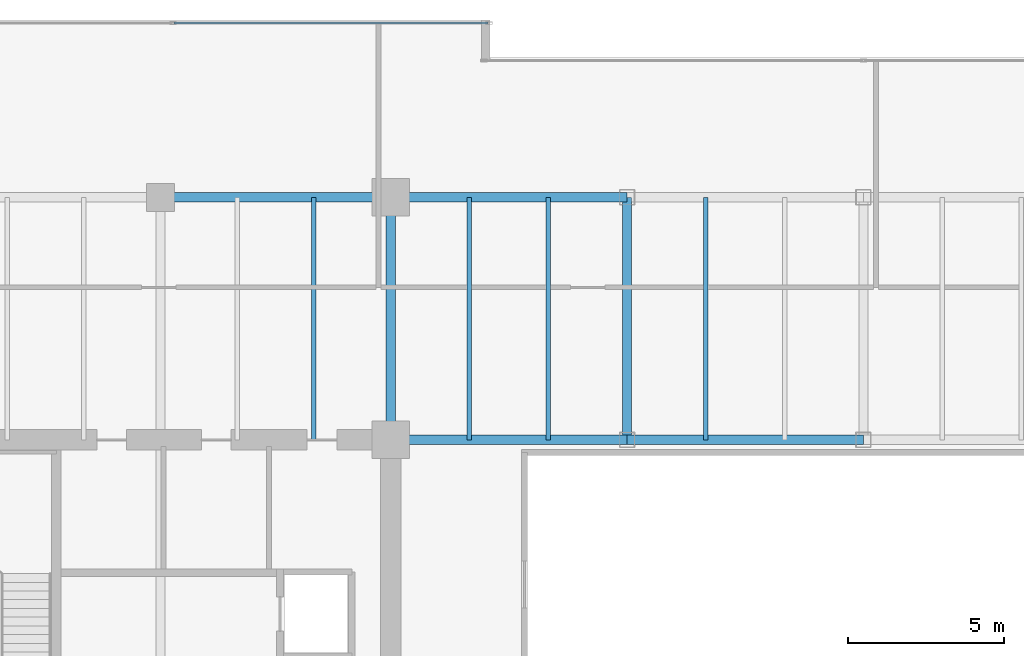
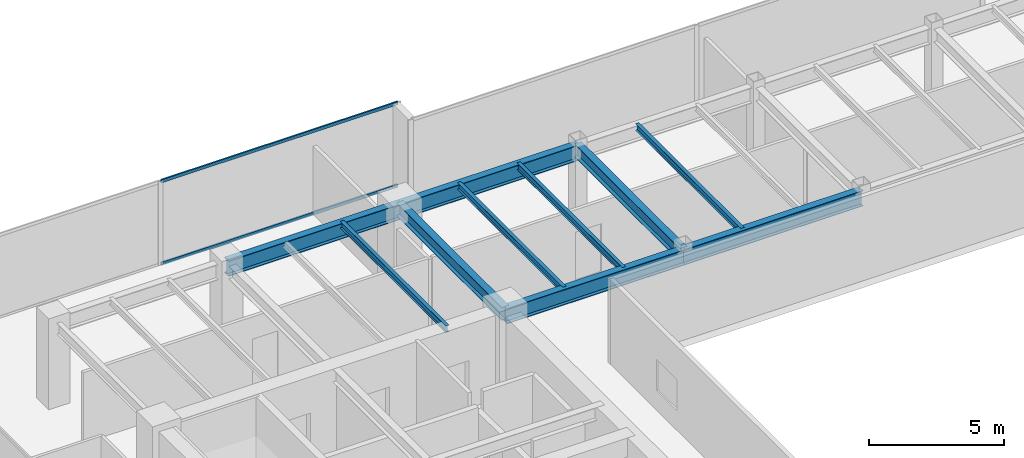
# One storey, part 15 of 30: 10 beams, 2 members, 1 element without a shape of its own.
"""IFC4 building model written with IfcOpenShell, lengths in metres."""

import ifcopenshell
import ifcopenshell.guid

model = None  # the IFC model being written
_history = None  # IfcOwnerHistory: only IFC2X3 demands one
_inside = {}  # id of a spatial element -> (the spatial element, [elements in it])
_under = {}  # id of a project, library or spatial element -> (it, [spatial elements below it])
_declared = {}  # id of a project -> (the project, [libraries it declares])
_typed = {}  # id of a type object -> (the type object, [elements of that type])
_made_of = {}  # id of a material, layer set ... -> (it, [elements and type objects made of it])


def new_model(schema):
    """Start an empty IFC model of exactly this schema.

    Asked for "IFC4X3", IfcOpenShell would pick the latest addendum, in which some entities
    have other attributes; the version numbers below select the first issue.
    IFC2X3 requires an IfcOwnerHistory on every rooted entity: one is made here for all.
    """
    global model, _history
    if schema == "IFC4X3":
        model = ifcopenshell.file(schema_version=(4, 3, 0, 0))
    else:
        model = ifcopenshell.file(schema=schema)
    _inside.clear()
    _under.clear()
    _declared.clear()
    _typed.clear()
    _made_of.clear()
    _history = None
    if model.schema == "IFC2X3":
        org = make("IfcOrganization", Name="unknown")
        user = make(
            "IfcPersonAndOrganization",
            ThePerson=make("IfcPerson", FamilyName="unknown"),
            TheOrganization=org,
        )
        app = make(
            "IfcApplication",
            ApplicationDeveloper=org,
            Version="unknown",
            ApplicationFullName="unknown",
            ApplicationIdentifier="unknown",
        )
        _history = make(
            "IfcOwnerHistory",
            OwningUser=user,
            OwningApplication=app,
            ChangeAction="ADDED",
            CreationDate=0,
        )
    return model


def make(cls, **values):
    """One entity of the class cls with the attributes given. An attribute that is None is left unset."""
    return model.create_entity(
        cls, **{name: value for name, value in values.items() if value is not None}
    )


def rooted(cls, **values):
    """An entity with a GlobalId (a new one), such as an element, a storey or a relation."""
    return make(cls, GlobalId=ifcopenshell.guid.new(), OwnerHistory=_history, **values)


def si_unit(unit_type, name, prefix=None):
    """IfcSIUnit, for example si_unit("LENGTHUNIT", "METRE", prefix="MILLI")."""
    return make("IfcSIUnit", UnitType=unit_type, Prefix=prefix, Name=name)


def assignment(units):
    """IfcUnitAssignment: the units of a project."""
    return None if units is None else make("IfcUnitAssignment", Units=units)


def point(xyz):
    """IfcCartesianPoint."""
    return None if xyz is None else make("IfcCartesianPoint", Coordinates=xyz)


def direction(xyz):
    """IfcDirection."""
    return None if xyz is None else make("IfcDirection", DirectionRatios=xyz)


def frame(location, z_axis=None, x_axis=None):
    """IfcAxis2Placement3D, a coordinate frame: its origin and axes. An axis left out is left unset."""
    return make(
        "IfcAxis2Placement3D",
        Location=point(location),
        Axis=direction(z_axis),
        RefDirection=direction(x_axis),
    )


def frame_2d(location, x_axis=None):
    """IfcAxis2Placement2D, a coordinate frame in the plane: its origin and x axis."""
    return make(
        "IfcAxis2Placement2D", Location=point(location), RefDirection=direction(x_axis)
    )


def origin():
    """The frame at (0, 0, 0) with its axes left unset."""
    return frame((0.0, 0.0, 0.0))


def origin_2d():
    """The frame at (0, 0) in the plane with its x axis left unset."""
    return frame_2d((0.0, 0.0))


def place(relative_to, where):
    """IfcLocalPlacement: puts the frame where relative to a parent placement (None: the world)."""
    return make(
        "IfcLocalPlacement", PlacementRelTo=relative_to, RelativePlacement=where
    )


def context(
    kind, dimensions, precision=None, world=None, true_north=None, identifier=None
):
    """IfcGeometricRepresentationContext, for example the 3D "Model" context."""
    return make(
        "IfcGeometricRepresentationContext",
        ContextIdentifier=identifier,
        ContextType=kind,
        CoordinateSpaceDimension=dimensions,
        Precision=precision,
        WorldCoordinateSystem=world,
        TrueNorth=true_north,
    )


def subcontext(parent, identifier, kind, view, scale=None):
    """IfcGeometricRepresentationSubContext, for example "Body" below "Model"."""
    return make(
        "IfcGeometricRepresentationSubContext",
        ContextIdentifier=identifier,
        ContextType=kind,
        ParentContext=parent,
        TargetScale=scale,
        TargetView=view,
    )


def project(units=None, contexts=None):
    """IfcProject with its units and contexts."""
    return rooted(
        "IfcProject",
        Name="project",
        RepresentationContexts=contexts,
        UnitsInContext=assignment(units),
    )


def spatial(cls, under=None, at=None, **own):
    """A site, building, storey or space (cls), placed at a placement, below another one or the project."""
    s = rooted(cls, ObjectPlacement=at, **own)
    if under is not None:
        _under.setdefault(under.id(), (under, []))[1].append(s)
    return s


def profile(cls, at=None, kind="AREA", **sizes):
    """A parametric profile (cls). Its sizes go by their IFC names, for example OverallWidth=200.0."""
    return make(cls, ProfileType=kind, Position=at, **sizes)


def hollow_rectangle(**sizes):
    """IfcRectangleHollowProfileDef."""
    return profile("IfcRectangleHollowProfileDef", **sizes)


def i_section(**sizes):
    """IfcIShapeProfileDef."""
    return profile("IfcIShapeProfileDef", **sizes)


def extrude(swept, where, along, depth):
    """IfcExtrudedAreaSolid: the profile swept, set in the frame where, extruded along a direction by depth."""
    return make(
        "IfcExtrudedAreaSolid",
        SweptArea=swept,
        Position=where,
        ExtrudedDirection=direction(along),
        Depth=depth,
    )


def shape(context_of_items, identifier, shape_type, items):
    """IfcShapeRepresentation: the items that make up one representation, for example the "Body"."""
    return make(
        "IfcShapeRepresentation",
        ContextOfItems=context_of_items,
        RepresentationIdentifier=identifier,
        RepresentationType=shape_type,
        Items=items,
    )


def source(mapping_origin, context_of_items, identifier, shape_type, items):
    """IfcRepresentationMap: a shape defined once, which mapped items show again and again."""
    return make(
        "IfcRepresentationMap",
        MappingOrigin=mapping_origin,
        MappedRepresentation=shape(context_of_items, identifier, shape_type, items),
    )


def transform(
    local_origin,
    x_axis=None,
    y_axis=None,
    z_axis=None,
    scale=None,
    scale2=None,
    scale3=None,
    uniform=True,
):
    """IfcCartesianTransformationOperator3D, or its non-uniform kind. x_axis, y_axis, z_axis: its Axis1, 2, 3."""
    if uniform:
        return make(
            "IfcCartesianTransformationOperator3D",
            Axis1=direction(x_axis),
            Axis2=direction(y_axis),
            LocalOrigin=point(local_origin),
            Scale=scale,
            Axis3=direction(z_axis),
        )
    return make(
        "IfcCartesianTransformationOperator3DnonUniform",
        Axis1=direction(x_axis),
        Axis2=direction(y_axis),
        LocalOrigin=point(local_origin),
        Scale=scale,
        Axis3=direction(z_axis),
        Scale2=scale2,
        Scale3=scale3,
    )


def mapped(mapping_source, mapping_target):
    """IfcMappedItem: shows the shape of a source again, moved by a transform."""
    return make(
        "IfcMappedItem", MappingSource=mapping_source, MappingTarget=mapping_target
    )


def material(Name=None, Category=None):
    """IfcMaterial."""
    return make("IfcMaterial", Name=Name, Category=Category)


def layer(
    of_material, thickness, ventilated=None, Name=None, Category=None, Priority=None
):
    """IfcMaterialLayer: one layer of a wall or slab, of a material (None: an air gap)."""
    return make(
        "IfcMaterialLayer",
        Material=of_material,
        LayerThickness=thickness,
        IsVentilated=ventilated,
        Name=Name,
        Category=Category,
        Priority=Priority,
    )


def layer_set(layers, Name=None):
    """IfcMaterialLayerSet."""
    return make("IfcMaterialLayerSet", MaterialLayers=layers, LayerSetName=Name)


def material_profile(
    of_material, cross_section, Name=None, Category=None, Priority=None
):
    """IfcMaterialProfile: a cross section and its material."""
    return make(
        "IfcMaterialProfile",
        Name=Name,
        Material=of_material,
        Profile=cross_section,
        Priority=Priority,
        Category=Category,
    )


def profile_set(profiles, Name=None, composite=None):
    """IfcMaterialProfileSet."""
    return make(
        "IfcMaterialProfileSet",
        Name=Name,
        MaterialProfiles=profiles,
        CompositeProfile=composite,
    )


def made_of(thing, what):
    """Note that an element or type object is made of a material, layer set ...; save() writes the relation."""
    if what is not None:
        _made_of.setdefault(what.id(), (what, []))[1].append(thing)
    return thing


def type_object(cls, material=None, **own):
    """A type object (cls), such as IfcWallType, which elements share."""
    return made_of(rooted(cls, **own), material)


def type_shapes(of_type, sources):
    """Give a type object the sources (RepresentationMaps) that its elements show as mapped items."""
    of_type.RepresentationMaps = sources


def element(
    cls,
    number,
    at=None,
    inside=None,
    cuts=None,
    type_object=None,
    material=None,
    context=None,
    identifier="Body",
    shape_type=None,
    held_by="IfcProductDefinitionShape",
    body=None,
    shapes=None,
    **own,
):
    """One element of the class cls, such as IfcWall. Its Tag is "e" and its number.

    at: its placement. inside: the storey or other place that contains it. cuts: it is an
    opening in that element (IfcRelVoidsElement). A single representation is given by context,
    identifier, shape_type and body (its items); several are given by shapes. held_by: the class
    of the entity that holds the representations. save() writes the other relations.
    """
    e = rooted(cls, Tag="e%d" % number, ObjectPlacement=at, **own)
    if body is not None:
        shapes = [shape(context, identifier, shape_type, body)]
    if shapes is not None:
        e.Representation = make(held_by, Representations=shapes)
    if inside is not None:
        _inside.setdefault(inside.id(), (inside, []))[1].append(e)
    if cuts is not None:
        rooted(
            "IfcRelVoidsElement", RelatingBuildingElement=cuts, RelatedOpeningElement=e
        )
    if type_object is not None:
        _typed.setdefault(type_object.id(), (type_object, []))[1].append(e)
    return made_of(e, material)


def aggregate(whole, parts):
    """IfcRelAggregates: a whole, such as a stair, and the parts it consists of."""
    return rooted("IfcRelAggregates", RelatingObject=whole, RelatedObjects=parts)


def save(model, path):
    """Write the relations noted so far, then the file.

    IfcRelAggregates (storeys below a building ...), IfcRelContainedInSpatialStructure (elements
    in a storey), IfcRelDefinesByType, IfcRelAssociatesMaterial and IfcRelDeclares: one each for
    every whole, place, type object, material and project.
    """
    for whole, parts in _under.values():
        aggregate(whole, parts)
    for where, things in _inside.values():
        rooted(
            "IfcRelContainedInSpatialStructure",
            RelatedElements=things,
            RelatingStructure=where,
        )
    for kind, things in _typed.values():
        rooted("IfcRelDefinesByType", RelatedObjects=things, RelatingType=kind)
    for what, things in _made_of.values():
        rooted("IfcRelAssociatesMaterial", RelatedObjects=things, RelatingMaterial=what)
    for by, libraries in _declared.values():
        rooted("IfcRelDeclares", RelatingContext=by, RelatedDefinitions=libraries)
    model.write(path)


model = new_model("IFC4")

# Units and contexts
model_context = context("Model", 3, precision=1e-05, world=origin(), true_north=direction((0.0, 1.0)))
body_context = subcontext(model_context, "Body", "Model", "MODEL_VIEW")
ifc_project = project(units=[si_unit("LENGTHUNIT", "METRE"), si_unit("AREAUNIT", "SQUARE_METRE"), si_unit("VOLUMEUNIT", "CUBIC_METRE"), si_unit("PLANEANGLEUNIT", "RADIAN"), si_unit("MASSUNIT", "GRAM", prefix="KILO")], contexts=[model_context])

# Site, building, storey
site_placement = place(None, origin())
site = spatial("IfcSite", under=ifc_project, at=site_placement, CompositionType="ELEMENT")
building_placement = place(site_placement, origin())
building = spatial("IfcBuilding", under=site, at=building_placement, Name="Haelvirn Gate Laboratories", CompositionType="ELEMENT")
storey_placement = place(building_placement, frame((0.0, 0.0, 183.0)))
storey = spatial("IfcBuildingStorey", under=building, at=storey_placement, Name="L44", CompositionType="ELEMENT", Elevation=183.0)

# Beams
ifc_material_1 = material(Name="Steel SM355", Category="steel")
ifc_material_profile_1 = material_profile(ifc_material_1, i_section(OverallWidth=0.300048828125, OverallDepth=0.699951171875, WebThickness=0.012939453125, FlangeThickness=0.02392578125, at=origin_2d()), Name="H-700x300x13x24")
ifc_profile_set_1 = profile_set([ifc_material_profile_1], Name="Steel SM355")
beam_type_1 = type_object("IfcBeamType", Name="BM-G-700", PredefinedType="BEAM", material=ifc_profile_set_1)
shared_shape_1 = source(origin(), body_context, "Body", "SweptSolid", [
    extrude(i_section(OverallWidth=0.300048828125, OverallDepth=0.699951171875, WebThickness=0.012939453125, FlangeThickness=0.02392578125, at=origin_2d()), origin(), (0.0, 0.0, 1.0), 7.39990234375),
])
beam_1_placement = place(storey_placement, frame((14.800048828125, 41.60009765625, 3.43994140625), z_axis=(1.0, 0.0, 0.0), x_axis=(0.0, 1.0, 0.0)))
element("IfcBeam", 1, at=beam_1_placement, inside=storey, type_object=beam_type_1, Name="L44 Primary Girder Y41.6 (14.8-22.2)", PredefinedType="BEAM", context=body_context, shape_type="MappedRepresentation", body=[
    mapped(shared_shape_1, transform((0.0, 0.0, 0.0), scale=1.0)),
])
shared_shape_2 = source(origin(), body_context, "Body", "SweptSolid", [
    extrude(i_section(OverallWidth=0.300048828125, OverallDepth=0.699951171875, WebThickness=0.012939453125, FlangeThickness=0.02392578125, at=origin_2d()), origin(), (0.0, 0.0, 1.0), 7.60009765625),
])
for number, where, z_axis, x_axis, name in (
    (2, (22.199951171875, 33.800048828125, 3.43994140625), (1.0, 0.0, 0.0), (0.0, 1.0, 0.0), "L44 Primary Girder Y33.8 (22.2-29.8)"),
    (3, (22.199951171875, 41.60009765625, 3.43994140625), (1.0, 0.0, 0.0), (0.0, 1.0, 0.0), "L44 Primary Girder Y41.6 (22.2-29.8)"),
):
    element("IfcBeam", number, at=place(storey_placement, frame(where, z_axis=z_axis, x_axis=x_axis)), inside=storey, type_object=beam_type_1, Name=name, PredefinedType="BEAM", context=body_context, shape_type="MappedRepresentation", body=[
        mapped(shared_shape_2, transform((0.0, 0.0, 0.0), scale=1.0)),
    ])
shared_shape_3 = source(origin(), body_context, "Body", "SweptSolid", [
    extrude(i_section(OverallWidth=0.300048828125, OverallDepth=0.699951171875, WebThickness=0.012939453125, FlangeThickness=0.02392578125, at=origin_2d()), origin(), (0.0, 0.0, 1.0), 7.599853515625),
])
type_shapes(beam_type_1, [shared_shape_1, shared_shape_2, shared_shape_3])
beam_2_placement = place(storey_placement, frame((29.800048828125, 33.800048828125, 3.43994140625), z_axis=(1.0, 0.0, 0.0), x_axis=(0.0, 1.0, 0.0)))
element("IfcBeam", 4, at=beam_2_placement, inside=storey, type_object=beam_type_1, Name="L44 Primary Girder Y33.8 (29.8-37.4)", PredefinedType="BEAM", context=body_context, shape_type="MappedRepresentation", body=[
    mapped(shared_shape_3, transform((0.0, 0.0, 0.0), scale=1.0)),
])
ifc_material_profile_2 = material_profile(ifc_material_1, i_section(OverallWidth=0.14990234375, OverallDepth=0.300048828125, WebThickness=0.006591796875, FlangeThickness=0.009033203125, at=origin_2d()), Name="H-300x150x6.5x9")
ifc_profile_set_2 = profile_set([ifc_material_profile_2], Name="Steel SM355")
beam_type_2 = type_object("IfcBeamType", Name="BM-J-300", PredefinedType="JOIST", material=ifc_profile_set_2)
shared_shape_4 = source(origin(), body_context, "Body", "SweptSolid", [
    extrude(i_section(OverallWidth=0.14990234375, OverallDepth=0.300048828125, WebThickness=0.006591796875, FlangeThickness=0.009033203125, at=origin_2d()), origin(), (0.0, 0.0, 1.0), 7.800048828125),
])
type_shapes(beam_type_2, [shared_shape_4])
for number, where, z_axis, x_axis, name in (
    (5, (19.72998046875, 33.800048828125, 3.639892578125), (0.0, 1.0, 0.0), (-1.0, 0.0, 0.0), "L44 Composite Lab Joist North X19.73"),
    (6, (24.72998046875, 33.800048828125, 3.639892578125), (0.0, 1.0, 0.0), (-1.0, 0.0, 0.0), "L44 Composite Lab Joist North X24.73"),
    (7, (27.27001953125, 33.800048828125, 3.639892578125), (0.0, 1.0, 0.0), (-1.0, 0.0, 0.0), "L44 Composite Lab Joist North X27.27"),
    (8, (32.330078125, 33.800048828125, 3.639892578125), (0.0, 1.0, 0.0), (-1.0, 0.0, 0.0), "L44 Composite Lab Joist North X32.33"),
):
    element("IfcBeam", number, at=place(storey_placement, frame(where, z_axis=z_axis, x_axis=x_axis)), inside=storey, type_object=beam_type_2, Name=name, PredefinedType="JOIST", context=body_context, shape_type="MappedRepresentation", body=[
        mapped(shared_shape_4, transform((0.0, 0.0, 0.0), scale=1.0)),
    ])
ifc_material_profile_3 = material_profile(ifc_material_1, i_section(OverallWidth=0.300048828125, OverallDepth=0.587890625, WebThickness=0.011962890625, FlangeThickness=0.02001953125, at=origin_2d()), Name="H-588x300x12x20")
ifc_profile_set_3 = profile_set([ifc_material_profile_3], Name="Steel SM355")
beam_type_3 = type_object("IfcBeamType", Name="BM-G-588", PredefinedType="BEAM", material=ifc_profile_set_3)
shared_shape_5 = source(origin(), body_context, "Body", "SweptSolid", [
    extrude(i_section(OverallWidth=0.300048828125, OverallDepth=0.587890625, WebThickness=0.011962890625, FlangeThickness=0.02001953125, at=origin_2d()), origin(), (0.0, 0.0, 1.0), 7.800048828125),
])
type_shapes(beam_type_3, [shared_shape_5])
for number, where, z_axis, x_axis, name in (
    (9, (22.199951171875, 33.800048828125, 3.49609375), (0.0, 1.0, 0.0), (-1.0, 0.0, 0.0), "L44 Frame Girder X22.2 (33.8-41.6)"),
    (10, (29.800048828125, 33.800048828125, 3.49609375), (0.0, 1.0, 0.0), (-1.0, 0.0, 0.0), "L44 Frame Girder X29.8 (33.8-41.6)"),
):
    element("IfcBeam", number, at=place(storey_placement, frame(where, z_axis=z_axis, x_axis=x_axis)), inside=storey, type_object=beam_type_3, Name=name, PredefinedType="BEAM", context=body_context, shape_type="MappedRepresentation", body=[
        mapped(shared_shape_5, transform((0.0, 0.0, 0.0), scale=1.0)),
    ])

# Curtain wall, members
ifc_material_2 = material(Name="Anodised bronze unitised aluminium & triple low-E glass", Category="aluminium")
ifc_layer = layer(ifc_material_2, 0.179931640625, Name="CW-SYS-3")
ifc_layer_set = layer_set([ifc_layer], Name="Anodised bronze unitised aluminium & triple low-E glass")
curtain_wall_type = type_object("IfcCurtainWallType", Name="CW-SYS-3", PredefinedType="NOTDEFINED", material=ifc_layer_set)
curtain_wall_placement = place(storey_placement, origin())
curtain_wall = element("IfcCurtainWall", 11, at=curtain_wall_placement, inside=storey, type_object=curtain_wall_type, Name="L44 Unitised Curtain Wall CW-L44-P0-E14-1", PredefinedType="NOTDEFINED")
ifc_material_3 = material(Name="Extruded aluminium 6063-T6 (anodised bronze)", Category="aluminium")
ifc_material_profile_4 = material_profile(ifc_material_3, hollow_rectangle(XDim=0.06494140625, YDim=0.139892578125, WallThickness=0.00390625, at=origin_2d()), Name="CWT-140x65x4")
ifc_profile_set_4 = profile_set([ifc_material_profile_4], Name="Extruded aluminium 6063-T6 (anodised bronze)")
member_type = type_object("IfcMemberType", Name="CWT-T140", PredefinedType="USERDEFINED", material=ifc_profile_set_4)
shared_shape_6 = source(origin(), body_context, "Body", "SweptSolid", [
    extrude(hollow_rectangle(XDim=0.06494140625, YDim=0.139892578125, WallThickness=0.00390625, at=origin_2d()), origin(), (0.0, 0.0, 1.0), 10.08740234375),
])
type_shapes(member_type, [shared_shape_6])
member_1_placement = place(storey_placement, frame((15.237548828125, 47.199951171875, 0.032470703125), z_axis=(1.0, 0.0, 0.0), x_axis=(0.0, 1.0, 0.0)))
member_1 = element("IfcMember", 12, at=member_1_placement, type_object=member_type, Name="CW3 transom 2.1", ObjectType="TRANSOM", PredefinedType="USERDEFINED", context=body_context, shape_type="MappedRepresentation", body=[
    mapped(shared_shape_6, transform((0.0, 0.0, 0.0), scale=1.0)),
])
member_2_placement = place(storey_placement, frame((15.237548828125, 47.199951171875, 3.757568359375), z_axis=(1.0, 0.0, 0.0), x_axis=(0.0, 1.0, 0.0)))
member_2 = element("IfcMember", 13, at=member_2_placement, type_object=member_type, Name="CW3 transom 2.2", ObjectType="TRANSOM", PredefinedType="USERDEFINED", context=body_context, shape_type="MappedRepresentation", body=[
    mapped(shared_shape_6, transform((0.0, 0.0, 0.0), scale=1.0)),
])
aggregate(curtain_wall, [member_1, member_2])

save(model, "model.ifc")
